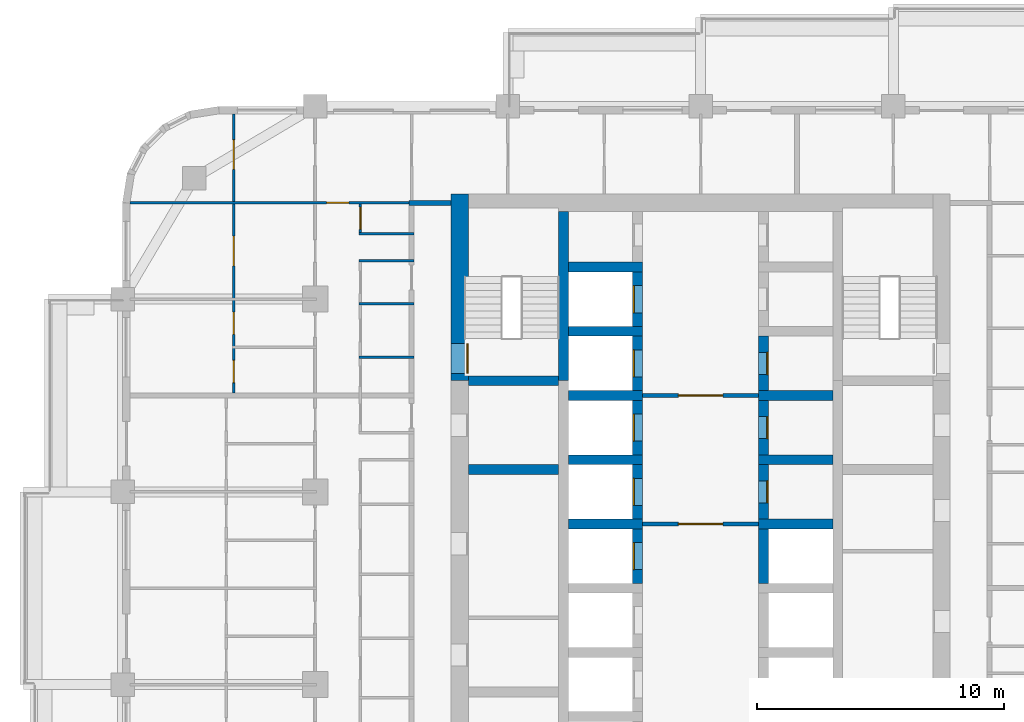
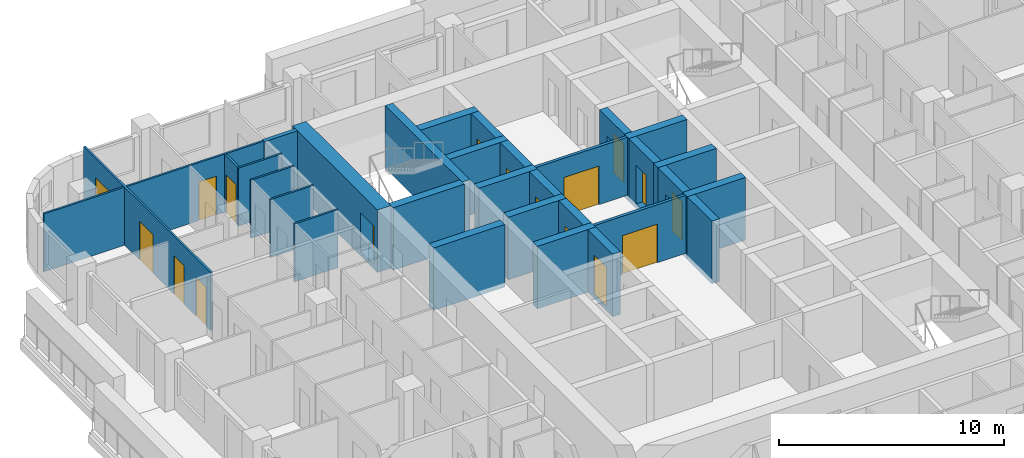
# One storey, part 10 of 17: 31 walls, 17 doors, 17 openings.
"""IFC4 building model written with IfcOpenShell, lengths in metres."""

from ifc_helpers import new_model, si_unit, direction, frame, frame_2d, origin, place, context, subcontext, project, spatial, rectangle, extrude, material, layer, layer_set, type_object, element, fill, save


model = new_model("IFC4")

# Units and contexts
model_context = context("Model", 3, precision=1e-05, world=origin(), true_north=direction((0.0, 1.0)))
body_context = subcontext(model_context, "Body", "Model", "MODEL_VIEW")
ifc_project = project(units=[si_unit("LENGTHUNIT", "METRE"), si_unit("AREAUNIT", "SQUARE_METRE"), si_unit("VOLUMEUNIT", "CUBIC_METRE"), si_unit("PLANEANGLEUNIT", "RADIAN"), si_unit("MASSUNIT", "GRAM", prefix="KILO")], contexts=[model_context])

# Site, building, storey
site_placement = place(None, origin())
site = spatial("IfcSite", under=ifc_project, at=site_placement, CompositionType="ELEMENT")
building_placement = place(site_placement, origin())
building = spatial("IfcBuilding", under=site, at=building_placement, Name="Ludao Terraces", CompositionType="ELEMENT")
storey_placement = place(building_placement, frame((0.0, 0.0, 88.60009765625)))
storey = spatial("IfcBuildingStorey", under=building, at=storey_placement, Name="L24", CompositionType="ELEMENT", Elevation=88.60009765625)

# Wall, opening, door
ifc_material_1 = material(Name="Concrete C70", Category="concrete")
ifc_layer_1 = layer(ifc_material_1, 0.699951171875)
ifc_layer_set_1 = layer_set([ifc_layer_1], Name="Core wall 700 C70")
wall_type_1 = type_object("IfcWallType", Name="Core wall 700 C70", PredefinedType="SOLIDWALL", material=ifc_layer_set_1)
wall_1_placement = place(storey_placement, frame((75.25, 77.300048828125, -0.25), z_axis=(0.0, 0.0, 1.0), x_axis=(0.0, 1.0, 0.0)))
wall_1 = element("IfcWall", 1, at=wall_1_placement, inside=storey, type_object=wall_type_1, Name="Core wall L24 outer-W-S1", PredefinedType="SOLIDWALL", context=body_context, shape_type="SweptSolid", body=[
    extrude(rectangle(XDim=7.550048828125, YDim=0.699951171875, at=frame_2d((3.77490234375, 0.0))), origin(), (0.0, 0.0, 1.0), 3.39990234375),
])
opening_1_placement = place(wall_1_placement, frame((0.300048828125, 0.0, 0.25)))
opening_1 = element("IfcOpeningElement", 2, at=opening_1_placement, cuts=wall_1, Name="Opening R07-131", PredefinedType="OPENING", context=body_context, shape_type="SweptSolid", body=[
    extrude(rectangle(XDim=1.199951171875, YDim=2.10009765625, at=frame_2d((0.60009765625, 1.050048828125))), frame((0.0, 0.35986328125, 0.0), z_axis=(0.0, -1.0, 0.0), x_axis=(1.0, 0.0, 0.0)), (0.0, 0.0, 1.0), 0.719970703125),
])
ifc_material_2 = material(Name="Steel Q235", Category="steel")
door_type_1 = type_object("IfcDoorType", Name="INT Stair door 1200", OperationType="DOUBLE_DOOR_SINGLE_SWING", PredefinedType="DOOR", material=ifc_material_2)
door_1_placement = place(opening_1_placement, origin())
door_1 = element("IfcDoor", 3, at=door_1_placement, inside=storey, type_object=door_type_1, Name="DOOR 131", OperationType="DOUBLE_DOOR_SINGLE_SWING", OverallHeight=2.10009765625, OverallWidth=1.199951171875, PredefinedType="DOOR", context=body_context, shape_type="SweptSolid", body=[
    extrude(rectangle(XDim=1.199951171875, YDim=2.10009765625, at=frame_2d((0.60009765625, 1.050048828125))), frame((0.0, -0.28515625, 0.0), z_axis=(0.0, -1.0, 0.0), x_axis=(1.0, 0.0, 0.0)), (0.0, 0.0, 1.0), 0.050048828125),
])
fill(opening_1, door_1)

ifc_material_3 = material(Name="Fire-rated gypsum plasterboard", Category="gypsum")
ifc_layer_2 = layer(ifc_material_3, 0.012451171875, Category="gypsum")
ifc_material_4 = material(Name="Mineral wool")
ifc_layer_3 = layer(ifc_material_4, 0.10009765625, Name="insulation")
ifc_layer_4 = layer(ifc_material_2, 0.02490234375, Name="stud")
ifc_layer_5 = layer(ifc_material_3, 0.012451171875, Category="gypsum")
ifc_layer_set_2 = layer_set([ifc_layer_2, ifc_layer_3, ifc_layer_4, ifc_layer_5], Name="INT Core partition 150")
wall_type_2 = type_object("IfcWallType", Name="INT Core partition 150", PredefinedType="PARTITIONING", material=ifc_layer_set_2)
wall_2_placement = place(storey_placement, frame((82.650146484375, 71.5, 0.0), z_axis=(0.0, 0.0, 1.0), x_axis=(1.0, 0.0, 0.0)))
wall_2 = element("IfcWall", 4, at=wall_2_placement, inside=storey, type_object=wall_type_2, Name="PW-L24-PW052", PredefinedType="PARTITIONING", context=body_context, shape_type="SweptSolid", body=[
    extrude(rectangle(XDim=4.699951171875, YDim=0.14990234375, at=frame_2d((2.35009765625, 0.0))), origin(), (0.0, 0.0, 1.0), 3.14990234375),
])
opening_2_placement = place(wall_2_placement, frame((1.449951171875, 0.0, 0.0)))
opening_2 = element("IfcOpeningElement", 5, at=opening_2_placement, cuts=wall_2, Name="Opening R07-103", PredefinedType="OPENING", context=body_context, shape_type="SweptSolid", body=[
    extrude(rectangle(XDim=1.800048828125, YDim=2.10009765625, at=frame_2d((0.89990234375, 1.050048828125))), frame((0.0, 0.0849609375, 0.0), z_axis=(0.0, -1.0, 0.0), x_axis=(1.0, 0.0, 0.0)), (0.0, 0.0, 1.0), 0.169921875),
])
door_type_2 = type_object("IfcDoorType", Name="INT Fire lobby door 1800", OperationType="DOUBLE_DOOR_SINGLE_SWING", PredefinedType="DOOR", material=ifc_material_2)
door_2_placement = place(opening_2_placement, origin())
door_2 = element("IfcDoor", 6, at=door_2_placement, inside=storey, type_object=door_type_2, Name="DOOR 103", OperationType="DOUBLE_DOOR_SINGLE_SWING", OverallHeight=2.10009765625, OverallWidth=1.800048828125, PredefinedType="DOOR", context=body_context, shape_type="SweptSolid", body=[
    extrude(rectangle(XDim=1.800048828125, YDim=2.10009765625, at=frame_2d((0.89990234375, 1.050048828125))), frame((0.0, 0.02490234375, 0.0), z_axis=(0.0, -1.0, 0.0), x_axis=(1.0, 0.0, 0.0)), (0.0, 0.0, 1.0), 0.050048828125),
])
fill(opening_2, door_2)

wall_3_placement = place(storey_placement, frame((82.650146484375, 76.699951171875, 0.0), z_axis=(0.0, 0.0, 1.0), x_axis=(1.0, 0.0, 0.0)))
wall_3 = element("IfcWall", 7, at=wall_3_placement, inside=storey, type_object=wall_type_2, Name="PW-L24-PW062", PredefinedType="PARTITIONING", context=body_context, shape_type="SweptSolid", body=[
    extrude(rectangle(XDim=4.699951171875, YDim=0.14990234375, at=frame_2d((2.35009765625, 0.0))), origin(), (0.0, 0.0, 1.0), 3.14990234375),
])
opening_3_placement = place(wall_3_placement, frame((1.449951171875, 0.0, 0.0)))
opening_3 = element("IfcOpeningElement", 8, at=opening_3_placement, cuts=wall_3, Name="Opening R07-126", PredefinedType="OPENING", context=body_context, shape_type="SweptSolid", body=[
    extrude(rectangle(XDim=1.800048828125, YDim=2.10009765625, at=frame_2d((0.89990234375, 1.050048828125))), frame((0.0, 0.0849609375, 0.0), z_axis=(0.0, -1.0, 0.0), x_axis=(1.0, 0.0, 0.0)), (0.0, 0.0, 1.0), 0.169921875),
])
door_3_placement = place(opening_3_placement, origin())
door_3 = element("IfcDoor", 9, at=door_3_placement, inside=storey, type_object=door_type_2, Name="DOOR 126", OperationType="DOUBLE_DOOR_SINGLE_SWING", OverallHeight=2.10009765625, OverallWidth=1.800048828125, PredefinedType="DOOR", context=body_context, shape_type="SweptSolid", body=[
    extrude(rectangle(XDim=1.800048828125, YDim=2.10009765625, at=frame_2d((0.89990234375, 1.050048828125))), frame((0.0, 0.02490234375, 0.0), z_axis=(0.0, -1.0, 0.0), x_axis=(1.0, 0.0, 0.0)), (0.0, 0.0, 1.0), 0.050048828125),
])
fill(opening_3, door_3)

# Walls
ifc_material_5 = material(Name="Autoclaved aerated concrete block B06 A3.5", Category="concrete")
ifc_layer_6 = layer(ifc_material_5, 0.199951171875)
ifc_layer_set_3 = layer_set([ifc_layer_6], Name="INT Entrance wall 200")
wall_type_3 = type_object("IfcWallType", Name="INT Entrance wall 200", PredefinedType="PARTITIONING", material=ifc_layer_set_3)
wall_4_placement = place(storey_placement, frame((73.2001953125, 84.5, 0.0), z_axis=(0.0, 0.0, 1.0), x_axis=(1.0, 0.0, 0.0)))
element("IfcWall", 10, at=wall_4_placement, inside=storey, type_object=wall_type_3, Name="PW-L24-PW076", PredefinedType="PARTITIONING", context=body_context, shape_type="SweptSolid", body=[
    extrude(rectangle(XDim=1.699951171875, YDim=0.199951171875, at=frame_2d((0.85009765625, 0.0))), origin(), (0.0, 0.0, 1.0), 3.14990234375),
])
ifc_material_6 = material(Name="Gypsum plasterboard", Category="gypsum")
ifc_layer_7 = layer(ifc_material_6, 0.012451171875, Category="gypsum")
ifc_layer_8 = layer(ifc_material_4, 0.06005859375, Name="insulation")
ifc_layer_9 = layer(ifc_material_2, 0.014892578125, Name="stud")
ifc_layer_10 = layer(ifc_material_6, 0.012451171875, Category="gypsum")
ifc_layer_set_4 = layer_set([ifc_layer_7, ifc_layer_8, ifc_layer_9, ifc_layer_10], Name="INT Partition 100")
wall_type_4 = type_object("IfcWallType", Name="INT Partition 100", PredefinedType="PARTITIONING", material=ifc_layer_set_4)
for number, where, z_axis, x_axis, name in (
    (11, (71.18017578125, 78.25, 0.0), (0.0, 0.0, 1.0), (1.0, 0.0, 0.0), "PW-L24-PW065"),
    (12, (71.18017578125, 80.419921875, 0.0), (0.0, 0.0, 1.0), (1.0, 0.0, 0.0), "PW-L24-PW068"),
    (13, (71.18017578125, 82.14990234375, 0.0), (0.0, 0.0, 1.0), (1.0, 0.0, 0.0), "PW-L24-PW071"),
    (14, (71.18017578125, 83.25, 0.0), (0.0, 0.0, 1.0), (1.0, 0.0, 0.0), "PW-L24-PW074"),
):
    element("IfcWall", number, at=place(storey_placement, frame(where, z_axis=z_axis, x_axis=x_axis)), inside=storey, type_object=wall_type_4, Name=name, PredefinedType="PARTITIONING", context=body_context, shape_type="SweptSolid", body=[
        extrude(rectangle(XDim=2.219970703125, YDim=0.10009765625, at=frame_2d((1.10986328125, 0.0))), origin(), (0.0, 0.0, 1.0), 3.14990234375),
    ])

# Wall, opening, door
wall_5_placement = place(storey_placement, frame((61.900146484375, 84.5, 0.0), z_axis=(0.0, 0.0, 1.0), x_axis=(1.0, 0.0, 0.0)))
wall_5 = element("IfcWall", 15, at=wall_5_placement, inside=storey, type_object=wall_type_4, Name="PW-L24-PW075", PredefinedType="PARTITIONING", context=body_context, shape_type="SweptSolid", body=[
    extrude(rectangle(XDim=11.5, YDim=0.10009765625, at=frame_2d((5.75, 0.0))), origin(), (0.0, 0.0, 1.0), 3.14990234375),
])
opening_4_placement = place(wall_5_placement, frame((7.965087890625, 0.0, 0.0)))
opening_4 = element("IfcOpeningElement", 16, at=opening_4_placement, cuts=wall_5, Name="Opening R07-153", PredefinedType="OPENING", context=body_context, shape_type="SweptSolid", body=[
    extrude(rectangle(XDim=0.89990234375, YDim=2.10009765625, at=frame_2d((0.449951171875, 1.050048828125))), frame((0.0, 0.06005859375, 0.0), z_axis=(0.0, -1.0, 0.0), x_axis=(1.0, 0.0, 0.0)), (0.0, 0.0, 1.0), 0.1201171875),
])
ifc_material_7 = material(Name="Timber door leaf", Category="wood")
door_type_3 = type_object("IfcDoorType", Name="INT Room door 900", OperationType="SINGLE_SWING_LEFT", PredefinedType="DOOR", material=ifc_material_7)
door_4_placement = place(opening_4_placement, origin())
door_4 = element("IfcDoor", 17, at=door_4_placement, inside=storey, type_object=door_type_3, Name="DOOR 153", OperationType="SINGLE_SWING_RIGHT", OverallHeight=2.10009765625, OverallWidth=0.89990234375, PredefinedType="DOOR", context=body_context, shape_type="SweptSolid", body=[
    extrude(rectangle(XDim=0.89990234375, YDim=2.10009765625, at=frame_2d((0.449951171875, 1.050048828125))), frame((0.0, 0.02490234375, 0.0), z_axis=(0.0, -1.0, 0.0), x_axis=(1.0, 0.0, 0.0)), (0.0, 0.0, 1.0), 0.050048828125),
])
fill(opening_4, door_4)

# Wall, openings, doors
wall_6_placement = place(storey_placement, frame((66.10009765625, 76.800048828125, 0.0), z_axis=(0.0, 0.0, 1.0), x_axis=(0.0, 1.0, 0.0)))
wall_6 = element("IfcWall", 18, at=wall_6_placement, inside=storey, type_object=wall_type_4, Name="PW-L24-PW081", PredefinedType="PARTITIONING", context=body_context, shape_type="SweptSolid", body=[
    extrude(rectangle(XDim=11.300048828125, YDim=0.10009765625, at=frame_2d((5.64990234375, 0.0))), origin(), (0.0, 0.0, 1.0), 3.14990234375),
])
opening_5_placement = place(wall_6_placement, frame((0.425048828125, 0.0, 0.0)))
opening_5 = element("IfcOpeningElement", 19, at=opening_5_placement, cuts=wall_6, Name="Opening R07-128", PredefinedType="OPENING", context=body_context, shape_type="SweptSolid", body=[
    extrude(rectangle(XDim=0.89990234375, YDim=2.10009765625, at=frame_2d((0.449951171875, 1.050048828125))), frame((0.0, 0.06005859375, 0.0), z_axis=(0.0, -1.0, 0.0), x_axis=(1.0, 0.0, 0.0)), (0.0, 0.0, 1.0), 0.1201171875),
])
opening_6_placement = place(wall_6_placement, frame((2.375, 0.0, 0.0)))
opening_6 = element("IfcOpeningElement", 20, at=opening_6_placement, cuts=wall_6, Name="Opening R07-138", PredefinedType="OPENING", context=body_context, shape_type="SweptSolid", body=[
    extrude(rectangle(XDim=0.89990234375, YDim=2.10009765625, at=frame_2d((0.449951171875, 1.050048828125))), frame((0.0, 0.06005859375, 0.0), z_axis=(0.0, -1.0, 0.0), x_axis=(1.0, 0.0, 0.0)), (0.0, 0.0, 1.0), 0.1201171875),
])
opening_7_placement = place(wall_6_placement, frame((5.14990234375, 0.0, 0.0)))
opening_7 = element("IfcOpeningElement", 21, at=opening_7_placement, cuts=wall_6, Name="Opening R07-145", PredefinedType="OPENING", context=body_context, shape_type="SweptSolid", body=[
    extrude(rectangle(XDim=1.199951171875, YDim=2.10009765625, at=frame_2d((0.60009765625, 1.050048828125))), frame((0.0, 0.06005859375, 0.0), z_axis=(0.0, -1.0, 0.0), x_axis=(1.0, 0.0, 0.0)), (0.0, 0.0, 1.0), 0.1201171875),
])
opening_8_placement = place(wall_6_placement, frame((9.050048828125, 0.0, 0.0)))
opening_8 = element("IfcOpeningElement", 22, at=opening_8_placement, cuts=wall_6, Name="Opening R07-155", PredefinedType="OPENING", context=body_context, shape_type="SweptSolid", body=[
    extrude(rectangle(XDim=1.199951171875, YDim=2.10009765625, at=frame_2d((0.60009765625, 1.050048828125))), frame((0.0, 0.06005859375, 0.0), z_axis=(0.0, -1.0, 0.0), x_axis=(1.0, 0.0, 0.0)), (0.0, 0.0, 1.0), 0.1201171875),
])
door_type_4 = type_object("IfcDoorType", Name="INT Bathroom door 900", OperationType="SINGLE_SWING_LEFT", PredefinedType="DOOR", material=ifc_material_7)
door_5_placement = place(opening_5_placement, origin())
door_5 = element("IfcDoor", 23, at=door_5_placement, inside=storey, type_object=door_type_4, Name="DOOR 128", OperationType="SINGLE_SWING_RIGHT", OverallHeight=2.10009765625, OverallWidth=0.89990234375, PredefinedType="DOOR", context=body_context, shape_type="SweptSolid", body=[
    extrude(rectangle(XDim=0.89990234375, YDim=2.10009765625, at=frame_2d((0.449951171875, 1.050048828125))), frame((0.0, 0.02490234375, 0.0), z_axis=(0.0, -1.0, 0.0), x_axis=(1.0, 0.0, 0.0)), (0.0, 0.0, 1.0), 0.050048828125),
])
fill(opening_5, door_5)
door_type_5 = type_object("IfcDoorType", Name="INT Double door 1200", OperationType="DOUBLE_DOOR_SINGLE_SWING", PredefinedType="DOOR", material=ifc_material_7)
door_6_placement = place(opening_7_placement, origin())
door_6 = element("IfcDoor", 24, at=door_6_placement, inside=storey, type_object=door_type_5, Name="DOOR 145", OperationType="DOUBLE_DOOR_SINGLE_SWING", OverallHeight=2.10009765625, OverallWidth=1.199951171875, PredefinedType="DOOR", context=body_context, shape_type="SweptSolid", body=[
    extrude(rectangle(XDim=1.199951171875, YDim=2.10009765625, at=frame_2d((0.60009765625, 1.050048828125))), frame((0.0, 0.02490234375, 0.0), z_axis=(0.0, -1.0, 0.0), x_axis=(1.0, 0.0, 0.0)), (0.0, 0.0, 1.0), 0.050048828125),
])
fill(opening_7, door_6)
door_7_placement = place(opening_8_placement, origin())
door_7 = element("IfcDoor", 25, at=door_7_placement, inside=storey, type_object=door_type_5, Name="DOOR 155", OperationType="DOUBLE_DOOR_SINGLE_SWING", OverallHeight=2.10009765625, OverallWidth=1.199951171875, PredefinedType="DOOR", context=body_context, shape_type="SweptSolid", body=[
    extrude(rectangle(XDim=1.199951171875, YDim=2.10009765625, at=frame_2d((0.60009765625, 1.050048828125))), frame((0.0, 0.02490234375, 0.0), z_axis=(0.0, -1.0, 0.0), x_axis=(1.0, 0.0, 0.0)), (0.0, 0.0, 1.0), 0.050048828125),
])
fill(opening_8, door_7)
door_8_placement = place(opening_6_placement, origin())
door_8 = element("IfcDoor", 26, at=door_8_placement, inside=storey, type_object=door_type_3, Name="DOOR 138", OperationType="SINGLE_SWING_RIGHT", OverallHeight=2.10009765625, OverallWidth=0.89990234375, PredefinedType="DOOR", context=body_context, shape_type="SweptSolid", body=[
    extrude(rectangle(XDim=0.89990234375, YDim=2.10009765625, at=frame_2d((0.449951171875, 1.050048828125))), frame((0.0, 0.02490234375, 0.0), z_axis=(0.0, -1.0, 0.0), x_axis=(1.0, 0.0, 0.0)), (0.0, 0.0, 1.0), 0.050048828125),
])
fill(opening_6, door_8)

# Wall, opening, door
wall_7_placement = place(storey_placement, frame((71.22998046875, 83.300048828125, 0.0), z_axis=(0.0, 0.0, 1.0), x_axis=(0.0, 1.0, 0.0)))
wall_7 = element("IfcWall", 27, at=wall_7_placement, inside=storey, type_object=wall_type_4, Name="PW-L24-PW086", PredefinedType="PARTITIONING", context=body_context, shape_type="SweptSolid", body=[
    extrude(rectangle(XDim=1.150146484375, YDim=0.10009765625, at=frame_2d((0.5751953125, 0.0))), origin(), (0.0, 0.0, 1.0), 3.14990234375),
])
opening_9_placement = place(wall_7_placement, frame((0.125, 0.0, 0.0)))
opening_9 = element("IfcOpeningElement", 28, at=opening_9_placement, cuts=wall_7, Name="Opening R07-152", PredefinedType="OPENING", context=body_context, shape_type="SweptSolid", body=[
    extrude(rectangle(XDim=0.89990234375, YDim=2.10009765625, at=frame_2d((0.449951171875, 1.050048828125))), frame((0.0, 0.06005859375, 0.0), z_axis=(0.0, -1.0, 0.0), x_axis=(1.0, 0.0, 0.0)), (0.0, 0.0, 1.0), 0.1201171875),
])
door_9_placement = place(opening_9_placement, origin())
door_9 = element("IfcDoor", 29, at=door_9_placement, inside=storey, type_object=door_type_4, Name="DOOR 152", OperationType="SINGLE_SWING_RIGHT", OverallHeight=2.10009765625, OverallWidth=0.89990234375, PredefinedType="DOOR", context=body_context, shape_type="SweptSolid", body=[
    extrude(rectangle(XDim=0.89990234375, YDim=2.10009765625, at=frame_2d((0.449951171875, 1.050048828125))), frame((0.0, 0.02490234375, 0.0), z_axis=(0.0, -1.0, 0.0), x_axis=(1.0, 0.0, 0.0)), (0.0, 0.0, 1.0), 0.050048828125),
])
fill(opening_9, door_9)

# Wall
ifc_material_8 = material(Name="Concrete C60", Category="concrete")
ifc_layer_11 = layer(ifc_material_8, 0.39990234375)
ifc_layer_set_5 = layer_set([ifc_layer_11], Name="Shaft wall 400 C60")
wall_type_5 = type_object("IfcWallType", Name="Shaft wall 400 C60", PredefinedType="SOLIDWALL", material=ifc_layer_set_5)
wall_8_placement = place(storey_placement, frame((79.449951171875, 77.300048828125, -0.25), z_axis=(0.0, 0.0, 1.0), x_axis=(0.0, 1.0, 0.0)))
element("IfcWall", 30, at=wall_8_placement, inside=storey, type_object=wall_type_5, Name="Core wall L24 back-W-S1", PredefinedType="SOLIDWALL", context=body_context, shape_type="SweptSolid", body=[
    extrude(rectangle(XDim=6.849853515625, YDim=0.39990234375, at=frame_2d((3.4248046875, 0.0))), origin(), (0.0, 0.0, 1.0), 3.39990234375),
])

# Wall, opening, door
wall_9_placement = place(storey_placement, frame((82.449951171875, 69.10009765625, -0.25), z_axis=(0.0, 0.0, 1.0), x_axis=(0.0, 1.0, 0.0)))
wall_9 = element("IfcWall", 31, at=wall_9_placement, inside=storey, type_object=wall_type_5, Name="Core wall L24 front-W4", PredefinedType="SOLIDWALL", context=body_context, shape_type="SweptSolid", body=[
    extrude(rectangle(XDim=2.199951171875, YDim=0.39990234375, at=frame_2d((1.10009765625, 0.0))), origin(), (0.0, 0.0, 1.0), 3.39990234375),
])
opening_10_placement = place(wall_9_placement, frame((0.550048828125, 0.0, 0.25)))
opening_10 = element("IfcOpeningElement", 32, at=opening_10_placement, cuts=wall_9, Name="Opening LD-LA4", PredefinedType="OPENING", context=body_context, shape_type="SweptSolid", body=[
    extrude(rectangle(XDim=1.10009765625, YDim=2.10009765625, at=frame_2d((0.550048828125, 1.050048828125))), frame((0.0, 0.2099609375, 0.0), z_axis=(0.0, -1.0, 0.0), x_axis=(1.0, 0.0, 0.0)), (0.0, 0.0, 1.0), 0.419921875),
])
ifc_material_9 = material(Name="Stainless steel 304", Category="steel")
door_type_6 = type_object("IfcDoorType", Name="INT Lift landing door 1100", OperationType="SLIDING_TO_LEFT", PredefinedType="DOOR", material=ifc_material_9)
door_10_placement = place(opening_10_placement, origin())
door_10 = element("IfcDoor", 33, at=door_10_placement, inside=storey, type_object=door_type_6, Name="LANDING DOOR LA4 L24", OperationType="SLIDING_TO_LEFT", OverallHeight=2.10009765625, OverallWidth=1.10009765625, PredefinedType="DOOR", context=body_context, shape_type="SweptSolid", body=[
    extrude(rectangle(XDim=1.10009765625, YDim=2.10009765625, at=frame_2d((0.550048828125, 1.050048828125))), frame((0.0, 0.18505859375, 0.0), z_axis=(0.0, -1.0, 0.0), x_axis=(1.0, 0.0, 0.0)), (0.0, 0.0, 1.0), 0.050048828125),
])
fill(opening_10, door_10)

# Wall
wall_10_placement = place(storey_placement, frame((79.64990234375, 71.5, -0.25), z_axis=(0.0, 0.0, 1.0), x_axis=(1.0, 0.0, 0.0)))
element("IfcWall", 34, at=wall_10_placement, inside=storey, type_object=wall_type_5, Name="Core wall L24 div-W5", PredefinedType="SOLIDWALL", context=body_context, shape_type="SweptSolid", body=[
    extrude(rectangle(XDim=3.0, YDim=0.39990234375, at=frame_2d((1.5, 0.0))), origin(), (0.0, 0.0, 1.0), 3.39990234375),
])

# Wall, opening, door
wall_11_placement = place(storey_placement, frame((82.449951171875, 71.699951171875, -0.25), z_axis=(0.0, 0.0, 1.0), x_axis=(0.0, 1.0, 0.0)))
wall_11 = element("IfcWall", 35, at=wall_11_placement, inside=storey, type_object=wall_type_5, Name="Core wall L24 front-W5", PredefinedType="SOLIDWALL", context=body_context, shape_type="SweptSolid", body=[
    extrude(rectangle(XDim=2.199951171875, YDim=0.39990234375, at=frame_2d((1.10009765625, 0.0))), origin(), (0.0, 0.0, 1.0), 3.39990234375),
])
opening_11_placement = place(wall_11_placement, frame((0.550048828125, 0.0, 0.25)))
opening_11 = element("IfcOpeningElement", 36, at=opening_11_placement, cuts=wall_11, Name="Opening LD-LA5", PredefinedType="OPENING", context=body_context, shape_type="SweptSolid", body=[
    extrude(rectangle(XDim=1.10009765625, YDim=2.10009765625, at=frame_2d((0.550048828125, 1.050048828125))), frame((0.0, 0.2099609375, 0.0), z_axis=(0.0, -1.0, 0.0), x_axis=(1.0, 0.0, 0.0)), (0.0, 0.0, 1.0), 0.419921875),
])
door_11_placement = place(opening_11_placement, origin())
door_11 = element("IfcDoor", 37, at=door_11_placement, inside=storey, type_object=door_type_6, Name="LANDING DOOR LA5 L24", OperationType="SLIDING_TO_LEFT", OverallHeight=2.10009765625, OverallWidth=1.10009765625, PredefinedType="DOOR", context=body_context, shape_type="SweptSolid", body=[
    extrude(rectangle(XDim=1.10009765625, YDim=2.10009765625, at=frame_2d((0.550048828125, 1.050048828125))), frame((0.0, 0.18505859375, 0.0), z_axis=(0.0, -1.0, 0.0), x_axis=(1.0, 0.0, 0.0)), (0.0, 0.0, 1.0), 0.050048828125),
])
fill(opening_11, door_11)

# Wall
wall_12_placement = place(storey_placement, frame((79.64990234375, 74.10009765625, -0.25), z_axis=(0.0, 0.0, 1.0), x_axis=(1.0, 0.0, 0.0)))
element("IfcWall", 38, at=wall_12_placement, inside=storey, type_object=wall_type_5, Name="Core wall L24 div-W6", PredefinedType="SOLIDWALL", context=body_context, shape_type="SweptSolid", body=[
    extrude(rectangle(XDim=3.0, YDim=0.39990234375, at=frame_2d((1.5, 0.0))), origin(), (0.0, 0.0, 1.0), 3.39990234375),
])

# Wall, opening, door
wall_13_placement = place(storey_placement, frame((82.449951171875, 74.300048828125, -0.25), z_axis=(0.0, 0.0, 1.0), x_axis=(0.0, 1.0, 0.0)))
wall_13 = element("IfcWall", 39, at=wall_13_placement, inside=storey, type_object=wall_type_5, Name="Core wall L24 front-W6", PredefinedType="SOLIDWALL", context=body_context, shape_type="SweptSolid", body=[
    extrude(rectangle(XDim=2.199951171875, YDim=0.39990234375, at=frame_2d((1.10009765625, 0.0))), origin(), (0.0, 0.0, 1.0), 3.39990234375),
])
opening_12_placement = place(wall_13_placement, frame((0.550048828125, 0.0, 0.25)))
opening_12 = element("IfcOpeningElement", 40, at=opening_12_placement, cuts=wall_13, Name="Opening LD-LA6", PredefinedType="OPENING", context=body_context, shape_type="SweptSolid", body=[
    extrude(rectangle(XDim=1.10009765625, YDim=2.10009765625, at=frame_2d((0.550048828125, 1.050048828125))), frame((0.0, 0.2099609375, 0.0), z_axis=(0.0, -1.0, 0.0), x_axis=(1.0, 0.0, 0.0)), (0.0, 0.0, 1.0), 0.419921875),
])
door_12_placement = place(opening_12_placement, origin())
door_12 = element("IfcDoor", 41, at=door_12_placement, inside=storey, type_object=door_type_6, Name="LANDING DOOR LA6 L24", OperationType="SLIDING_TO_LEFT", OverallHeight=2.10009765625, OverallWidth=1.10009765625, PredefinedType="DOOR", context=body_context, shape_type="SweptSolid", body=[
    extrude(rectangle(XDim=1.10009765625, YDim=2.10009765625, at=frame_2d((0.550048828125, 1.050048828125))), frame((0.0, 0.18505859375, 0.0), z_axis=(0.0, -1.0, 0.0), x_axis=(1.0, 0.0, 0.0)), (0.0, 0.0, 1.0), 0.050048828125),
])
fill(opening_12, door_12)

# Wall
wall_14_placement = place(storey_placement, frame((79.64990234375, 76.699951171875, -0.25), z_axis=(0.0, 0.0, 1.0), x_axis=(1.0, 0.0, 0.0)))
element("IfcWall", 42, at=wall_14_placement, inside=storey, type_object=wall_type_5, Name="Core wall L24 div-W7", PredefinedType="SOLIDWALL", context=body_context, shape_type="SweptSolid", body=[
    extrude(rectangle(XDim=3.0, YDim=0.39990234375, at=frame_2d((1.5, 0.0))), origin(), (0.0, 0.0, 1.0), 3.39990234375),
])

# Wall, opening, door
wall_15_placement = place(storey_placement, frame((82.449951171875, 76.89990234375, -0.25), z_axis=(0.0, 0.0, 1.0), x_axis=(0.0, 1.0, 0.0)))
wall_15 = element("IfcWall", 43, at=wall_15_placement, inside=storey, type_object=wall_type_5, Name="Core wall L24 front-W7", PredefinedType="SOLIDWALL", context=body_context, shape_type="SweptSolid", body=[
    extrude(rectangle(XDim=2.2001953125, YDim=0.39990234375, at=frame_2d((1.10009765625, 0.0))), origin(), (0.0, 0.0, 1.0), 3.39990234375),
])
opening_13_placement = place(wall_15_placement, frame((0.550048828125, 0.0, 0.25)))
opening_13 = element("IfcOpeningElement", 44, at=opening_13_placement, cuts=wall_15, Name="Opening LD-FF1", PredefinedType="OPENING", context=body_context, shape_type="SweptSolid", body=[
    extrude(rectangle(XDim=1.10009765625, YDim=2.10009765625, at=frame_2d((0.550048828125, 1.050048828125))), frame((0.0, 0.2099609375, 0.0), z_axis=(0.0, -1.0, 0.0), x_axis=(1.0, 0.0, 0.0)), (0.0, 0.0, 1.0), 0.419921875),
])
door_13_placement = place(opening_13_placement, origin())
door_13 = element("IfcDoor", 45, at=door_13_placement, inside=storey, type_object=door_type_6, Name="LANDING DOOR FF1 L24", OperationType="SLIDING_TO_LEFT", OverallHeight=2.10009765625, OverallWidth=1.10009765625, PredefinedType="DOOR", context=body_context, shape_type="SweptSolid", body=[
    extrude(rectangle(XDim=1.10009765625, YDim=2.10009765625, at=frame_2d((0.550048828125, 1.050048828125))), frame((0.0, 0.18505859375, 0.0), z_axis=(0.0, -1.0, 0.0), x_axis=(1.0, 0.0, 0.0)), (0.0, 0.0, 1.0), 0.050048828125),
])
fill(opening_13, door_13)

# Wall
wall_16_placement = place(storey_placement, frame((79.64990234375, 79.300048828125, -0.25), z_axis=(0.0, 0.0, 1.0), x_axis=(1.0, 0.0, 0.0)))
element("IfcWall", 46, at=wall_16_placement, inside=storey, type_object=wall_type_5, Name="Core wall L24 div-W8", PredefinedType="SOLIDWALL", context=body_context, shape_type="SweptSolid", body=[
    extrude(rectangle(XDim=3.0, YDim=0.39990234375, at=frame_2d((1.5, 0.0))), origin(), (0.0, 0.0, 1.0), 3.39990234375),
])

# Wall, opening, door
wall_17_placement = place(storey_placement, frame((82.449951171875, 79.5, -0.25), z_axis=(0.0, 0.0, 1.0), x_axis=(0.0, 1.0, 0.0)))
wall_17 = element("IfcWall", 47, at=wall_17_placement, inside=storey, type_object=wall_type_5, Name="Core wall L24 front-W8", PredefinedType="SOLIDWALL", context=body_context, shape_type="SweptSolid", body=[
    extrude(rectangle(XDim=2.199951171875, YDim=0.39990234375, at=frame_2d((1.10009765625, 0.0))), origin(), (0.0, 0.0, 1.0), 3.39990234375),
])
opening_14_placement = place(wall_17_placement, frame((0.550048828125, 0.0, 0.25)))
opening_14 = element("IfcOpeningElement", 48, at=opening_14_placement, cuts=wall_17, Name="Opening LD-FF2", PredefinedType="OPENING", context=body_context, shape_type="SweptSolid", body=[
    extrude(rectangle(XDim=1.10009765625, YDim=2.10009765625, at=frame_2d((0.550048828125, 1.050048828125))), frame((0.0, 0.2099609375, 0.0), z_axis=(0.0, -1.0, 0.0), x_axis=(1.0, 0.0, 0.0)), (0.0, 0.0, 1.0), 0.419921875),
])
door_14_placement = place(opening_14_placement, origin())
door_14 = element("IfcDoor", 49, at=door_14_placement, inside=storey, type_object=door_type_6, Name="LANDING DOOR FF2 L24", OperationType="SLIDING_TO_LEFT", OverallHeight=2.10009765625, OverallWidth=1.10009765625, PredefinedType="DOOR", context=body_context, shape_type="SweptSolid", body=[
    extrude(rectangle(XDim=1.10009765625, YDim=2.10009765625, at=frame_2d((0.550048828125, 1.050048828125))), frame((0.0, 0.18505859375, 0.0), z_axis=(0.0, -1.0, 0.0), x_axis=(1.0, 0.0, 0.0)), (0.0, 0.0, 1.0), 0.050048828125),
])
fill(opening_14, door_14)

# Walls
wall_18_placement = place(storey_placement, frame((79.64990234375, 81.89990234375, -0.25), z_axis=(0.0, 0.0, 1.0), x_axis=(1.0, 0.0, 0.0)))
element("IfcWall", 50, at=wall_18_placement, inside=storey, type_object=wall_type_5, Name="Core wall L24 div-W9", PredefinedType="SOLIDWALL", context=body_context, shape_type="SweptSolid", body=[
    extrude(rectangle(XDim=3.0, YDim=0.39990234375, at=frame_2d((1.5, 0.0))), origin(), (0.0, 0.0, 1.0), 3.39990234375),
])
wall_19_placement = place(storey_placement, frame((87.550048828125, 69.10009765625, -0.25), z_axis=(0.0, 0.0, 1.0), x_axis=(0.0, 1.0, 0.0)))
element("IfcWall", 51, at=wall_19_placement, inside=storey, type_object=wall_type_5, Name="Core wall L24 front-E4", PredefinedType="SOLIDWALL", context=body_context, shape_type="SweptSolid", body=[
    extrude(rectangle(XDim=2.199951171875, YDim=0.39990234375, at=frame_2d((1.10009765625, 0.0))), origin(), (0.0, 0.0, 1.0), 3.39990234375),
])
wall_20_placement = place(storey_placement, frame((87.35009765625, 71.5, -0.25), z_axis=(0.0, 0.0, 1.0), x_axis=(1.0, 0.0, 0.0)))
element("IfcWall", 52, at=wall_20_placement, inside=storey, type_object=wall_type_5, Name="Core wall L24 div-E5", PredefinedType="SOLIDWALL", context=body_context, shape_type="SweptSolid", body=[
    extrude(rectangle(XDim=3.0, YDim=0.39990234375, at=frame_2d((1.5, 0.0))), origin(), (0.0, 0.0, 1.0), 3.39990234375),
])

# Wall, opening, door
wall_21_placement = place(storey_placement, frame((87.550048828125, 71.699951171875, -0.25), z_axis=(0.0, 0.0, 1.0), x_axis=(0.0, 1.0, 0.0)))
wall_21 = element("IfcWall", 53, at=wall_21_placement, inside=storey, type_object=wall_type_5, Name="Core wall L24 front-E5", PredefinedType="SOLIDWALL", context=body_context, shape_type="SweptSolid", body=[
    extrude(rectangle(XDim=2.199951171875, YDim=0.39990234375, at=frame_2d((1.10009765625, 0.0))), origin(), (0.0, 0.0, 1.0), 3.39990234375),
])
opening_15_placement = place(wall_21_placement, frame((0.64990234375, 0.0, 0.25)))
opening_15 = element("IfcOpeningElement", 54, at=opening_15_placement, cuts=wall_21, Name="Opening R07-111", PredefinedType="OPENING", context=body_context, shape_type="SweptSolid", body=[
    extrude(rectangle(XDim=0.89990234375, YDim=2.10009765625, at=frame_2d((0.449951171875, 1.050048828125))), frame((0.0, 0.2099609375, 0.0), z_axis=(0.0, -1.0, 0.0), x_axis=(1.0, 0.0, 0.0)), (0.0, 0.0, 1.0), 0.419921875),
])
door_15_placement = place(opening_15_placement, origin())
door_15 = element("IfcDoor", 55, at=door_15_placement, inside=storey, type_object=door_type_3, Name="DOOR 111", OperationType="SINGLE_SWING_RIGHT", OverallHeight=2.10009765625, OverallWidth=0.89990234375, PredefinedType="DOOR", context=body_context, shape_type="SweptSolid", body=[
    extrude(rectangle(XDim=0.89990234375, YDim=2.10009765625, at=frame_2d((0.449951171875, 1.050048828125))), frame((0.0, -0.134765625, 0.0), z_axis=(0.0, -1.0, 0.0), x_axis=(1.0, 0.0, 0.0)), (0.0, 0.0, 1.0), 0.050048828125),
])
fill(opening_15, door_15)

# Wall
wall_22_placement = place(storey_placement, frame((87.35009765625, 74.10009765625, -0.25), z_axis=(0.0, 0.0, 1.0), x_axis=(1.0, 0.0, 0.0)))
element("IfcWall", 56, at=wall_22_placement, inside=storey, type_object=wall_type_5, Name="Core wall L24 div-E6", PredefinedType="SOLIDWALL", context=body_context, shape_type="SweptSolid", body=[
    extrude(rectangle(XDim=3.0, YDim=0.39990234375, at=frame_2d((1.5, 0.0))), origin(), (0.0, 0.0, 1.0), 3.39990234375),
])

# Wall, opening, door
wall_23_placement = place(storey_placement, frame((87.550048828125, 74.300048828125, -0.25), z_axis=(0.0, 0.0, 1.0), x_axis=(0.0, 1.0, 0.0)))
wall_23 = element("IfcWall", 57, at=wall_23_placement, inside=storey, type_object=wall_type_5, Name="Core wall L24 front-E6", PredefinedType="SOLIDWALL", context=body_context, shape_type="SweptSolid", body=[
    extrude(rectangle(XDim=2.199951171875, YDim=0.39990234375, at=frame_2d((1.10009765625, 0.0))), origin(), (0.0, 0.0, 1.0), 3.39990234375),
])
opening_16_placement = place(wall_23_placement, frame((0.64990234375, 0.0, 0.25)))
opening_16 = element("IfcOpeningElement", 58, at=opening_16_placement, cuts=wall_23, Name="Opening R07-118", PredefinedType="OPENING", context=body_context, shape_type="SweptSolid", body=[
    extrude(rectangle(XDim=0.89990234375, YDim=2.10009765625, at=frame_2d((0.449951171875, 1.050048828125))), frame((0.0, 0.2099609375, 0.0), z_axis=(0.0, -1.0, 0.0), x_axis=(1.0, 0.0, 0.0)), (0.0, 0.0, 1.0), 0.419921875),
])
door_16_placement = place(opening_16_placement, origin())
door_16 = element("IfcDoor", 59, at=door_16_placement, inside=storey, type_object=door_type_3, Name="DOOR 118", OperationType="SINGLE_SWING_RIGHT", OverallHeight=2.10009765625, OverallWidth=0.89990234375, PredefinedType="DOOR", context=body_context, shape_type="SweptSolid", body=[
    extrude(rectangle(XDim=0.89990234375, YDim=2.10009765625, at=frame_2d((0.449951171875, 1.050048828125))), frame((0.0, -0.134765625, 0.0), z_axis=(0.0, -1.0, 0.0), x_axis=(1.0, 0.0, 0.0)), (0.0, 0.0, 1.0), 0.050048828125),
])
fill(opening_16, door_16)

# Wall
wall_24_placement = place(storey_placement, frame((87.35009765625, 76.699951171875, -0.25), z_axis=(0.0, 0.0, 1.0), x_axis=(1.0, 0.0, 0.0)))
element("IfcWall", 60, at=wall_24_placement, inside=storey, type_object=wall_type_5, Name="Core wall L24 div-E7", PredefinedType="SOLIDWALL", context=body_context, shape_type="SweptSolid", body=[
    extrude(rectangle(XDim=3.0, YDim=0.39990234375, at=frame_2d((1.5, 0.0))), origin(), (0.0, 0.0, 1.0), 3.39990234375),
])

# Wall, opening, door
wall_25_placement = place(storey_placement, frame((87.550048828125, 76.89990234375, -0.25), z_axis=(0.0, 0.0, 1.0), x_axis=(0.0, 1.0, 0.0)))
wall_25 = element("IfcWall", 61, at=wall_25_placement, inside=storey, type_object=wall_type_5, Name="Core wall L24 front-E7", PredefinedType="SOLIDWALL", context=body_context, shape_type="SweptSolid", body=[
    extrude(rectangle(XDim=2.2001953125, YDim=0.39990234375, at=frame_2d((1.10009765625, 0.0))), origin(), (0.0, 0.0, 1.0), 3.39990234375),
])
opening_17_placement = place(wall_25_placement, frame((0.64990234375, 0.0, 0.25)))
opening_17 = element("IfcOpeningElement", 62, at=opening_17_placement, cuts=wall_25, Name="Opening R07-130", PredefinedType="OPENING", context=body_context, shape_type="SweptSolid", body=[
    extrude(rectangle(XDim=0.89990234375, YDim=2.10009765625, at=frame_2d((0.449951171875, 1.050048828125))), frame((0.0, 0.2099609375, 0.0), z_axis=(0.0, -1.0, 0.0), x_axis=(1.0, 0.0, 0.0)), (0.0, 0.0, 1.0), 0.419921875),
])
door_17_placement = place(opening_17_placement, origin())
door_17 = element("IfcDoor", 63, at=door_17_placement, inside=storey, type_object=door_type_3, Name="DOOR 130", OperationType="SINGLE_SWING_RIGHT", OverallHeight=2.10009765625, OverallWidth=0.89990234375, PredefinedType="DOOR", context=body_context, shape_type="SweptSolid", body=[
    extrude(rectangle(XDim=0.89990234375, YDim=2.10009765625, at=frame_2d((0.449951171875, 1.050048828125))), frame((0.0, -0.134765625, 0.0), z_axis=(0.0, -1.0, 0.0), x_axis=(1.0, 0.0, 0.0)), (0.0, 0.0, 1.0), 0.050048828125),
])
fill(opening_17, door_17)

# Walls
for number, where, z_axis, x_axis, name in (
    (64, (75.60009765625, 73.699951171875, -0.25), (0.0, 0.0, 1.0), (1.0, 0.0, 0.0), "Core wall L24 riser-b-W"),
    (65, (75.60009765625, 77.300048828125, -0.25), (0.0, 0.0, 1.0), (1.0, 0.0, 0.0), "Core wall L24 stair-W"),
):
    element("IfcWall", number, at=place(storey_placement, frame(where, z_axis=z_axis, x_axis=x_axis)), inside=storey, type_object=wall_type_5, Name=name, PredefinedType="SOLIDWALL", context=body_context, shape_type="SweptSolid", body=[
        extrude(rectangle(XDim=3.64990234375, YDim=0.39990234375, at=frame_2d((1.824951171875, 0.0))), origin(), (0.0, 0.0, 1.0), 3.39990234375),
    ])

save(model, "model.ifc")
